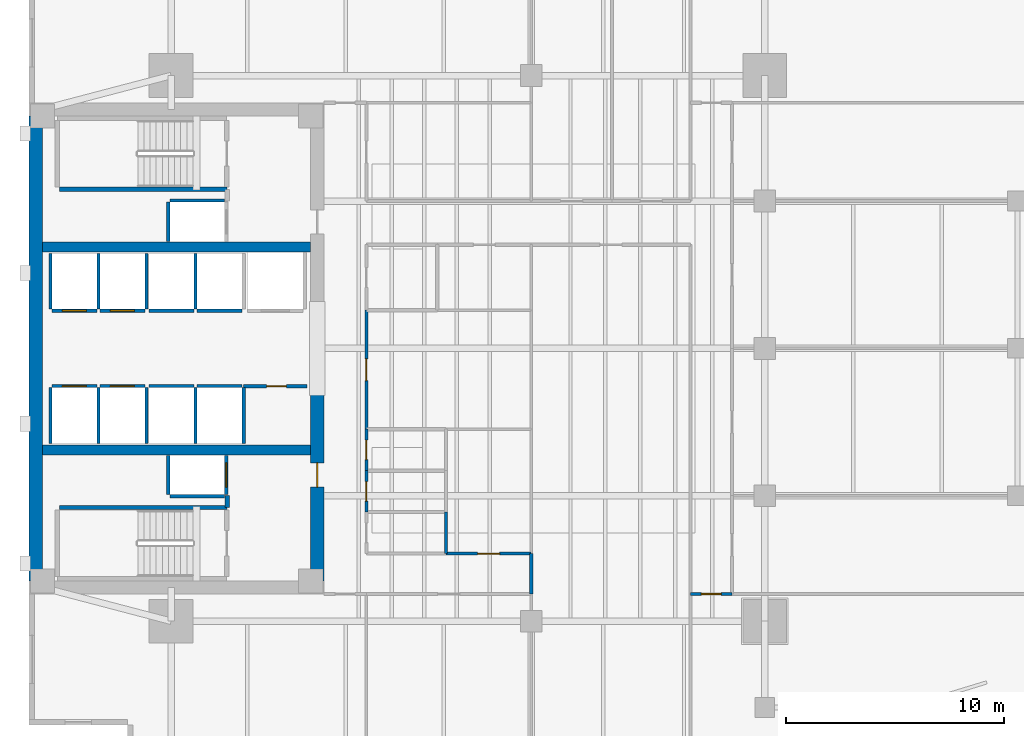
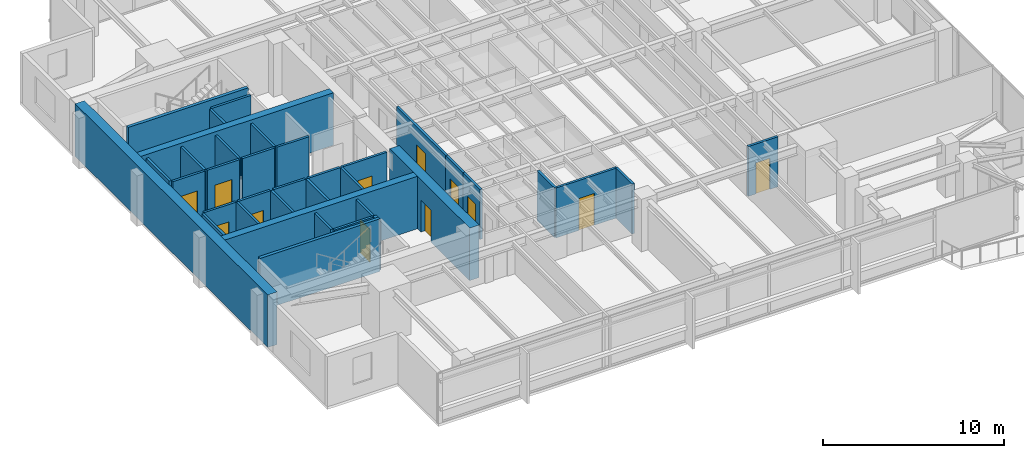
# One storey, part 8 of 14: 37 walls, 12 doors, 12 openings.
"""IFC4 building model written with IfcOpenShell, lengths in metres."""

from ifc_helpers import new_model, si_unit, direction, frame, frame_2d, origin, place, context, subcontext, project, spatial, rectangle, extrude, material, layer, layer_set, type_object, element, fill, save


model = new_model("IFC4")

# Units and contexts
model_context = context("Model", 3, precision=1e-05, world=origin(), true_north=direction((0.0, 1.0)))
body_context = subcontext(model_context, "Body", "Model", "MODEL_VIEW")
ifc_project = project(units=[si_unit("LENGTHUNIT", "METRE"), si_unit("AREAUNIT", "SQUARE_METRE"), si_unit("VOLUMEUNIT", "CUBIC_METRE"), si_unit("PLANEANGLEUNIT", "RADIAN"), si_unit("MASSUNIT", "GRAM", prefix="KILO")], contexts=[model_context])

# Site, building, storey
site_placement = place(None, origin())
site = spatial("IfcSite", under=ifc_project, at=site_placement, CompositionType="ELEMENT")
building_placement = place(site_placement, origin())
building = spatial("IfcBuilding", under=site, at=building_placement, Name="Kinhvarn Gate Tower", CompositionType="ELEMENT")
storey_placement = place(building_placement, frame((0.0, 0.0, 151.949951171875)))
storey = spatial("IfcBuildingStorey", under=building, at=storey_placement, Name="L40", CompositionType="ELEMENT", Elevation=151.949951171875)

# Walls
ifc_material_1 = material(Name="Concrete C50/60", Category="concrete")
ifc_layer_1 = layer(ifc_material_1, 0.449951171875)
ifc_layer_set_1 = layer_set([ifc_layer_1], Name="Concrete C50/60")
wall_type_1 = type_object("IfcWallType", Name="WL-CORE-450", PredefinedType="SHEAR", material=ifc_layer_set_1)
for number, where, z_axis, x_axis, name in (
    (1, (5.10009765625, 20.60009765625, 0.0), (0.0, 0.0, 1.0), (1.0, 0.0, 0.0), "Core South Spine Shear Wall L40 450 mm"),
    (2, (5.10009765625, 29.89990234375, 0.0), (0.0, 0.0, 1.0), (1.0, 0.0, 0.0), "Core North Spine Shear Wall L40 450 mm"),
):
    element("IfcWall", number, at=place(storey_placement, frame(where, z_axis=z_axis, x_axis=x_axis)), inside=storey, type_object=wall_type_1, Name=name, PredefinedType="SHEAR", context=body_context, shape_type="SweptSolid", body=[
        extrude(rectangle(XDim=12.2998046875, YDim=0.449951171875, at=frame_2d((6.14990234375, 0.0))), origin(), (0.0, 0.0, 1.0), 3.550048828125),
    ])

# Wall, opening, door
ifc_material_2 = material(Name="Concrete C60/75", Category="concrete")
ifc_layer_2 = layer(ifc_material_2, 0.60009765625)
ifc_layer_set_2 = layer_set([ifc_layer_2], Name="Concrete C60/75")
wall_type_2 = type_object("IfcWallType", Name="WL-CORE-600", PredefinedType="SHEAR", material=ifc_layer_set_2)
wall_1_placement = place(storey_placement, frame((17.699951171875, 14.60009765625, 0.0), z_axis=(0.0, 0.0, 1.0), x_axis=(0.0, 1.0, 0.0)))
wall_1 = element("IfcWall", 3, at=wall_1_placement, inside=storey, type_object=wall_type_2, Name="Core East-South Shear Pier L40 600 mm", PredefinedType="SHEAR", context=body_context, shape_type="SweptSolid", body=[
    extrude(rectangle(XDim=8.849853515625, YDim=0.60009765625, at=frame_2d((4.4248046875, 0.0))), origin(), (0.0, 0.0, 1.0), 3.550048828125),
])
opening_1_placement = place(wall_1_placement, frame((4.300048828125, 0.0, 0.0)))
opening_1 = element("IfcOpeningElement", 4, at=opening_1_placement, cuts=wall_1, Name="Opening FD-02", PredefinedType="OPENING", context=body_context, shape_type="SweptSolid", body=[
    extrude(rectangle(XDim=1.10009765625, YDim=2.14990234375, at=frame_2d((0.550048828125, 1.074951171875))), frame((0.0, 0.31005859375, 0.0), z_axis=(0.0, -1.0, 0.0), x_axis=(1.0, 0.0, 0.0)), (0.0, 0.0, 1.0), 0.6201171875),
])
ifc_material_3 = material(Name="Anodised aluminium AW-6063", Category="aluminium")
door_type_1 = type_object("IfcDoorType", Name="DR-FD-1100", OperationType="NOTDEFINED", PredefinedType="DOOR", material=ifc_material_3)
door_1_placement = place(opening_1_placement, origin())
door_1 = element("IfcDoor", 5, at=door_1_placement, inside=storey, type_object=door_type_1, Name="Firefighting Lobby Core Door (L40)", OperationType="SINGLE_SWING_RIGHT", OverallHeight=2.14990234375, OverallWidth=1.10009765625, PredefinedType="DOOR", context=body_context, shape_type="SweptSolid", body=[
    extrude(rectangle(XDim=1.10009765625, YDim=2.14990234375, at=frame_2d((0.550048828125, 1.074951171875))), frame((0.0, 0.02490234375, 0.0), z_axis=(0.0, -1.0, 0.0), x_axis=(1.0, 0.0, 0.0)), (0.0, 0.0, 1.0), 0.050048828125),
])
fill(opening_1, door_1)

# Walls
ifc_layer_3 = layer(ifc_material_2, 0.60009765625)
ifc_layer_set_3 = layer_set([ifc_layer_3], Name="Concrete C60/75")
wall_type_3 = type_object("IfcWallType", Name="WL-COREX-600", PredefinedType="SHEAR", material=ifc_layer_set_3)
wall_2_placement = place(storey_placement, frame((4.800048828125, 14.60009765625, 0.0), z_axis=(0.0, 0.0, 1.0), x_axis=(0.0, 1.0, 0.0)))
element("IfcWall", 6, at=wall_2_placement, inside=storey, type_object=wall_type_3, Name="Core West Shear Wall L40 600 mm", PredefinedType="SHEAR", context=body_context, shape_type="SweptSolid", body=[
    extrude(rectangle(XDim=21.2998046875, YDim=0.60009765625, at=frame_2d((10.64990234375, 0.0))), origin(), (0.0, 0.0, 1.0), 3.550048828125),
])
ifc_material_4 = material(Name="Gypsum acoustic partition board")
ifc_layer_4 = layer(ifc_material_4, 0.14990234375)
ifc_layer_set_4 = layer_set([ifc_layer_4], Name="Gypsum acoustic partition board")
wall_type_4 = type_object("IfcWallType", Name="WL-PLM-150", PredefinedType="PLUMBINGWALL", material=ifc_layer_set_4)
wall_3_placement = place(storey_placement, frame((23.60009765625, 15.85009765625, 0.0), z_axis=(0.0, 0.0, 1.0), x_axis=(0.0, 1.0, 0.0)))
element("IfcWall", 7, at=wall_3_placement, inside=storey, type_object=wall_type_4, Name="Interior Partition PLW-150 (L40)", PredefinedType="PLUMBINGWALL", context=body_context, shape_type="SweptSolid", body=[
    extrude(rectangle(XDim=1.89990234375, YDim=0.14990234375, at=frame_2d((0.949951171875, 0.0))), origin(), (0.0, 0.0, 1.0), 3.3701171875),
])

# Wall, opening, door
ifc_layer_5 = layer(ifc_material_4, 0.14990234375)
ifc_layer_set_5 = layer_set([ifc_layer_5], Name="Gypsum acoustic partition board")
wall_type_5 = type_object("IfcWallType", Name="WL-PLM-150F", PredefinedType="PLUMBINGWALL", material=ifc_layer_set_5)
wall_4_placement = place(storey_placement, frame((19.949951171875, 17.75, 0.0), z_axis=(0.0, 0.0, 1.0), x_axis=(0.0, 1.0, 0.0)))
wall_4 = element("IfcWall", 8, at=wall_4_placement, inside=storey, type_object=wall_type_5, Name="Interior Partition PLW-150F (L40)", PredefinedType="PLUMBINGWALL", context=body_context, shape_type="SweptSolid", body=[
    extrude(rectangle(XDim=1.89990234375, YDim=0.14990234375, at=frame_2d((0.949951171875, 0.0))), origin(), (0.0, 0.0, 1.0), 3.3701171875),
])
opening_2_placement = place(wall_4_placement, frame((0.5, 0.0, 0.0)))
opening_2 = element("IfcOpeningElement", 9, at=opening_2_placement, cuts=wall_4, Name="Opening FD-04", PredefinedType="OPENING", context=body_context, shape_type="SweptSolid", body=[
    extrude(rectangle(XDim=0.89990234375, YDim=2.10009765625, at=frame_2d((0.449951171875, 1.050048828125))), frame((0.0, 0.0849609375, 0.0), z_axis=(0.0, -1.0, 0.0), x_axis=(1.0, 0.0, 0.0)), (0.0, 0.0, 1.0), 0.169921875),
])
door_type_2 = type_object("IfcDoorType", Name="DR-FD-900", OperationType="NOTDEFINED", PredefinedType="DOOR", material=ifc_material_3)
door_2_placement = place(opening_2_placement, origin())
door_2 = element("IfcDoor", 10, at=door_2_placement, inside=storey, type_object=door_type_2, Name="Rated Riser & Service Closet Fire Door 900x2100 mm (L40)", OperationType="SINGLE_SWING_RIGHT", OverallHeight=2.10009765625, OverallWidth=0.89990234375, PredefinedType="DOOR", context=body_context, shape_type="SweptSolid", body=[
    extrude(rectangle(XDim=0.89990234375, YDim=2.10009765625, at=frame_2d((0.449951171875, 1.050048828125))), frame((0.0, 0.02490234375, 0.0), z_axis=(0.0, -1.0, 0.0), x_axis=(1.0, 0.0, 0.0)), (0.0, 0.0, 1.0), 0.050048828125),
])
fill(opening_2, door_2)

wall_5_placement = place(storey_placement, frame((19.949951171875, 19.64990234375, 0.0), z_axis=(0.0, 0.0, 1.0), x_axis=(0.0, 1.0, 0.0)))
wall_5 = element("IfcWall", 11, at=wall_5_placement, inside=storey, type_object=wall_type_5, Name="Interior Partition PLW-150F (L40)", PredefinedType="PLUMBINGWALL", context=body_context, shape_type="SweptSolid", body=[
    extrude(rectangle(XDim=1.900146484375, YDim=0.14990234375, at=frame_2d((0.9501953125, 0.0))), origin(), (0.0, 0.0, 1.0), 3.3701171875),
])
opening_3_placement = place(wall_5_placement, frame((0.5, 0.0, 0.0)))
opening_3 = element("IfcOpeningElement", 12, at=opening_3_placement, cuts=wall_5, Name="Opening FD-04", PredefinedType="OPENING", context=body_context, shape_type="SweptSolid", body=[
    extrude(rectangle(XDim=0.89990234375, YDim=2.10009765625, at=frame_2d((0.449951171875, 1.050048828125))), frame((0.0, 0.0849609375, 0.0), z_axis=(0.0, -1.0, 0.0), x_axis=(1.0, 0.0, 0.0)), (0.0, 0.0, 1.0), 0.169921875),
])
door_3_placement = place(opening_3_placement, origin())
door_3 = element("IfcDoor", 13, at=door_3_placement, inside=storey, type_object=door_type_2, Name="Rated Riser & Service Closet Fire Door 900x2100 mm (L40)", OperationType="SINGLE_SWING_LEFT", OverallHeight=2.10009765625, OverallWidth=0.89990234375, PredefinedType="DOOR", context=body_context, shape_type="SweptSolid", body=[
    extrude(rectangle(XDim=0.89990234375, YDim=2.10009765625, at=frame_2d((0.449951171875, 1.050048828125))), frame((0.0, 0.02490234375, 0.0), z_axis=(0.0, -1.0, 0.0), x_axis=(1.0, 0.0, 0.0)), (0.0, 0.0, 1.0), 0.050048828125),
])
fill(opening_3, door_3)

ifc_layer_6 = layer(ifc_material_4, 0.14990234375)
ifc_layer_set_6 = layer_set([ifc_layer_6], Name="Gypsum acoustic partition board")
wall_type_6 = type_object("IfcWallType", Name="WL-PRT-150F", PredefinedType="PARTITIONING", material=ifc_layer_set_6)
wall_6_placement = place(storey_placement, frame((14.330078125, 23.52001953125, 0.0), z_axis=(0.0, 0.0, 1.0), x_axis=(1.0, 0.0, 0.0)))
wall_6 = element("IfcWall", 14, at=wall_6_placement, inside=storey, type_object=wall_type_6, Name="Interior Partition PW-150F (L40)", PredefinedType="PARTITIONING", context=body_context, shape_type="SweptSolid", body=[
    extrude(rectangle(XDim=2.889892578125, YDim=0.14990234375, at=frame_2d((1.44482421875, 0.0))), origin(), (0.0, 0.0, 1.0), 3.3701171875),
])
opening_4_placement = place(wall_6_placement, frame((1.052734375, 0.0, 0.0)))
opening_4 = element("IfcOpeningElement", 15, at=opening_4_placement, cuts=wall_6, Name="Opening FD-04", PredefinedType="OPENING", context=body_context, shape_type="SweptSolid", body=[
    extrude(rectangle(XDim=0.89990234375, YDim=2.10009765625, at=frame_2d((0.449951171875, 1.050048828125))), frame((0.0, 0.0849609375, 0.0), z_axis=(0.0, -1.0, 0.0), x_axis=(1.0, 0.0, 0.0)), (0.0, 0.0, 1.0), 0.169921875),
])
door_4_placement = place(opening_4_placement, origin())
door_4 = element("IfcDoor", 16, at=door_4_placement, inside=storey, type_object=door_type_2, Name="Rated Riser & Service Closet Fire Door 900x2100 mm (L40)", OperationType="SINGLE_SWING_RIGHT", OverallHeight=2.10009765625, OverallWidth=0.89990234375, PredefinedType="DOOR", context=body_context, shape_type="SweptSolid", body=[
    extrude(rectangle(XDim=0.89990234375, YDim=2.10009765625, at=frame_2d((0.449951171875, 1.050048828125))), frame((0.0, 0.02490234375, 0.0), z_axis=(0.0, -1.0, 0.0), x_axis=(1.0, 0.0, 0.0)), (0.0, 0.0, 1.0), 0.050048828125),
])
fill(opening_4, door_4)

wall_7_placement = place(storey_placement, frame((19.949951171875, 21.550048828125, 0.0), z_axis=(0.0, 0.0, 1.0), x_axis=(0.0, 1.0, 0.0)))
wall_7 = element("IfcWall", 17, at=wall_7_placement, inside=storey, type_object=wall_type_6, Name="Interior Partition PW-150F (L40)", PredefinedType="PARTITIONING", context=body_context, shape_type="SweptSolid", body=[
    extrude(rectangle(XDim=5.449951171875, YDim=0.14990234375, at=frame_2d((2.72509765625, 0.0))), origin(), (0.0, 0.0, 1.0), 3.3701171875),
])
opening_5_placement = place(wall_7_placement, frame((2.22509765625, 0.0, 0.0)))
opening_5 = element("IfcOpeningElement", 18, at=opening_5_placement, cuts=wall_7, Name="Opening ID-02", PredefinedType="OPENING", context=body_context, shape_type="SweptSolid", body=[
    extrude(rectangle(XDim=1.0, YDim=2.14990234375, at=frame_2d((0.5, 1.074951171875))), frame((0.0, 0.0849609375, 0.0), z_axis=(0.0, -1.0, 0.0), x_axis=(1.0, 0.0, 0.0)), (0.0, 0.0, 1.0), 0.169921875),
])
door_type_3 = type_object("IfcDoorType", Name="DR-INT-1000", OperationType="NOTDEFINED", PredefinedType="DOOR", material=ifc_material_3)
door_5_placement = place(opening_5_placement, origin())
door_5 = element("IfcDoor", 19, at=door_5_placement, inside=storey, type_object=door_type_3, Name="Standard Office & Meeting Room Door 1000x2150 mm (L40)", OperationType="SINGLE_SWING_RIGHT", OverallHeight=2.14990234375, OverallWidth=1.0, PredefinedType="DOOR", context=body_context, shape_type="SweptSolid", body=[
    extrude(rectangle(XDim=1.0, YDim=2.14990234375, at=frame_2d((0.5, 1.074951171875))), frame((0.0, 0.02490234375, 0.0), z_axis=(0.0, -1.0, 0.0), x_axis=(1.0, 0.0, 0.0)), (0.0, 0.0, 1.0), 0.050048828125),
])
fill(opening_5, door_5)

wall_8_placement = place(storey_placement, frame((23.60009765625, 15.85009765625, 0.0), z_axis=(0.0, 0.0, 1.0), x_axis=(1.0, 0.0, 0.0)))
wall_8 = element("IfcWall", 20, at=wall_8_placement, inside=storey, type_object=wall_type_6, Name="Interior Partition PW-150F (L40)", PredefinedType="PARTITIONING", context=body_context, shape_type="SweptSolid", body=[
    extrude(rectangle(XDim=3.89990234375, YDim=0.14990234375, at=frame_2d((1.949951171875, 0.0))), origin(), (0.0, 0.0, 1.0), 3.3701171875),
])
opening_6_placement = place(wall_8_placement, frame((1.449951171875, 0.0, 0.0)))
opening_6 = element("IfcOpeningElement", 21, at=opening_6_placement, cuts=wall_8, Name="Opening ID-02", PredefinedType="OPENING", context=body_context, shape_type="SweptSolid", body=[
    extrude(rectangle(XDim=1.0, YDim=2.14990234375, at=frame_2d((0.5, 1.074951171875))), frame((0.0, 0.0849609375, 0.0), z_axis=(0.0, -1.0, 0.0), x_axis=(1.0, 0.0, 0.0)), (0.0, 0.0, 1.0), 0.169921875),
])
door_6_placement = place(opening_6_placement, origin())
door_6 = element("IfcDoor", 22, at=door_6_placement, inside=storey, type_object=door_type_3, Name="Standard Office & Meeting Room Door 1000x2150 mm (L40)", OperationType="SINGLE_SWING_LEFT", OverallHeight=2.14990234375, OverallWidth=1.0, PredefinedType="DOOR", context=body_context, shape_type="SweptSolid", body=[
    extrude(rectangle(XDim=1.0, YDim=2.14990234375, at=frame_2d((0.5, 1.074951171875))), frame((0.0, 0.02490234375, 0.0), z_axis=(0.0, -1.0, 0.0), x_axis=(1.0, 0.0, 0.0)), (0.0, 0.0, 1.0), 0.050048828125),
])
fill(opening_6, door_6)

# Wall
wall_9_placement = place(storey_placement, frame((27.5, 14.0, 0.0), z_axis=(0.0, 0.0, 1.0), x_axis=(0.0, 1.0, 0.0)))
element("IfcWall", 23, at=wall_9_placement, inside=storey, type_object=wall_type_6, Name="Interior Partition PW-150F (L40)", PredefinedType="PARTITIONING", context=body_context, shape_type="SweptSolid", body=[
    extrude(rectangle(XDim=1.85009765625, YDim=0.14990234375, at=frame_2d((0.925048828125, 0.0))), origin(), (0.0, 0.0, 1.0), 3.3701171875),
])

# Wall, opening, door
wall_10_placement = place(storey_placement, frame((34.800048828125, 14.0, 0.0), z_axis=(0.0, 0.0, 1.0), x_axis=(1.0, 0.0, 0.0)))
wall_10 = element("IfcWall", 24, at=wall_10_placement, inside=storey, type_object=wall_type_6, Name="Interior Partition PW-150F (L40)", PredefinedType="PARTITIONING", context=body_context, shape_type="SweptSolid", body=[
    extrude(rectangle(XDim=1.89990234375, YDim=0.14990234375, at=frame_2d((0.949951171875, 0.0))), origin(), (0.0, 0.0, 1.0), 3.3701171875),
])
opening_7_placement = place(wall_10_placement, frame((0.5, 0.0, 0.0)))
opening_7 = element("IfcOpeningElement", 25, at=opening_7_placement, cuts=wall_10, Name="Opening ID-03", PredefinedType="OPENING", context=body_context, shape_type="SweptSolid", body=[
    extrude(rectangle(XDim=0.89990234375, YDim=2.10009765625, at=frame_2d((0.449951171875, 1.050048828125))), frame((0.0, 0.0849609375, 0.0), z_axis=(0.0, -1.0, 0.0), x_axis=(1.0, 0.0, 0.0)), (0.0, 0.0, 1.0), 0.169921875),
])
door_type_4 = type_object("IfcDoorType", Name="DR-INT-900", OperationType="NOTDEFINED", PredefinedType="DOOR", material=ifc_material_3)
door_7_placement = place(opening_7_placement, origin())
door_7 = element("IfcDoor", 26, at=door_7_placement, inside=storey, type_object=door_type_4, Name="Cellular Office & Restroom Door 900x2100 mm (L40)", OperationType="SINGLE_SWING_LEFT", OverallHeight=2.10009765625, OverallWidth=0.89990234375, PredefinedType="DOOR", context=body_context, shape_type="SweptSolid", body=[
    extrude(rectangle(XDim=0.89990234375, YDim=2.10009765625, at=frame_2d((0.449951171875, 1.050048828125))), frame((0.0, 0.02490234375, 0.0), z_axis=(0.0, -1.0, 0.0), x_axis=(1.0, 0.0, 0.0)), (0.0, 0.0, 1.0), 0.050048828125),
])
fill(opening_7, door_7)

# Wall
ifc_layer_7 = layer(ifc_material_4, 0.199951171875)
ifc_layer_set_7 = layer_set([ifc_layer_7], Name="Gypsum acoustic partition board")
wall_type_7 = type_object("IfcWallType", Name="WL-PRT-200", PredefinedType="PARTITIONING", material=ifc_layer_set_7)
wall_11_placement = place(storey_placement, frame((13.580078125, 17.9599609375, 0.0), z_axis=(0.0, 0.0, 1.0), x_axis=(0.0, 1.0, 0.0)))
element("IfcWall", 27, at=wall_11_placement, inside=storey, type_object=wall_type_7, Name="Interior Partition PW-200 (L40)", PredefinedType="PARTITIONING", context=body_context, shape_type="SweptSolid", body=[
    extrude(rectangle(XDim=0.5400390625, YDim=0.199951171875, at=frame_2d((0.27001953125, 0.0))), origin(), (0.0, 0.0, 1.0), 3.3701171875),
])

# Wall, opening, door
ifc_layer_8 = layer(ifc_material_4, 0.14990234375)
ifc_layer_set_8 = layer_set([ifc_layer_8], Name="Gypsum acoustic partition board")
wall_type_8 = type_object("IfcWallType", Name="WL-SHF-150", PredefinedType="PARTITIONING", material=ifc_layer_set_8)
wall_12_placement = place(storey_placement, frame((5.550048828125, 23.52490234375, 0.0), z_axis=(0.0, 0.0, 1.0), x_axis=(1.0, 0.0, 0.0)))
wall_12 = element("IfcWall", 28, at=wall_12_placement, inside=storey, type_object=wall_type_8, Name="Elevator PM-05 Landing Wall (L40)", PredefinedType="PARTITIONING", context=body_context, shape_type="SweptSolid", body=[
    extrude(rectangle(XDim=2.050048828125, YDim=0.14990234375, at=frame_2d((1.02490234375, 0.0))), origin(), (0.0, 0.0, 1.0), 3.3701171875),
])
opening_8_placement = place(wall_12_placement, frame((0.47509765625, 0.0, 0.0)))
opening_8 = element("IfcOpeningElement", 29, at=opening_8_placement, cuts=wall_12, Name="Opening LD-01", PredefinedType="OPENING", context=body_context, shape_type="SweptSolid", body=[
    extrude(rectangle(XDim=1.10009765625, YDim=2.199951171875, at=frame_2d((0.550048828125, 1.10009765625))), frame((0.0, 0.0849609375, 0.0), z_axis=(0.0, -1.0, 0.0), x_axis=(1.0, 0.0, 0.0)), (0.0, 0.0, 1.0), 0.169921875),
])
door_type_5 = type_object("IfcDoorType", Name="DR-LND-PAS", OperationType="NOTDEFINED", PredefinedType="DOOR", material=ifc_material_3)
door_8_placement = place(opening_8_placement, origin())
door_8 = element("IfcDoor", 30, at=door_8_placement, inside=storey, type_object=door_type_5, Name="Elevator PM-05 Sliding Landing Door (L40)", OperationType="DOUBLE_DOOR_SLIDING", OverallHeight=2.199951171875, OverallWidth=1.10009765625, PredefinedType="DOOR", context=body_context, shape_type="SweptSolid", body=[
    extrude(rectangle(XDim=1.10009765625, YDim=2.199951171875, at=frame_2d((0.550048828125, 1.10009765625))), frame((0.0, 0.02490234375, 0.0), z_axis=(0.0, -1.0, 0.0), x_axis=(1.0, 0.0, 0.0)), (0.0, 0.0, 1.0), 0.050048828125),
])
fill(opening_8, door_8)

# Walls
for number, where, z_axis, x_axis, name in (
    (31, (5.47509765625, 20.89990234375, 0.0), (0.0, 0.0, 1.0), (0.0, 1.0, 0.0), "Elevator PM-05 Hoistway Wall W (L40)"),
    (32, (7.675048828125, 20.89990234375, 0.0), (0.0, 0.0, 1.0), (0.0, 1.0, 0.0), "Elevator PM-05 Hoistway Wall E (L40)"),
):
    element("IfcWall", number, at=place(storey_placement, frame(where, z_axis=z_axis, x_axis=x_axis)), inside=storey, type_object=wall_type_8, Name=name, PredefinedType="PARTITIONING", context=body_context, shape_type="SweptSolid", body=[
        extrude(rectangle(XDim=2.550048828125, YDim=0.14990234375, at=frame_2d((1.27490234375, 0.0))), origin(), (0.0, 0.0, 1.0), 3.3701171875),
    ])

# Wall, opening, door
wall_13_placement = place(storey_placement, frame((7.75, 23.52490234375, 0.0), z_axis=(0.0, 0.0, 1.0), x_axis=(1.0, 0.0, 0.0)))
wall_13 = element("IfcWall", 33, at=wall_13_placement, inside=storey, type_object=wall_type_8, Name="Elevator PM-06 Landing Wall (L40)", PredefinedType="PARTITIONING", context=body_context, shape_type="SweptSolid", body=[
    extrude(rectangle(XDim=2.050048828125, YDim=0.14990234375, at=frame_2d((1.02490234375, 0.0))), origin(), (0.0, 0.0, 1.0), 3.3701171875),
])
opening_9_placement = place(wall_13_placement, frame((0.47509765625, 0.0, 0.0)))
opening_9 = element("IfcOpeningElement", 34, at=opening_9_placement, cuts=wall_13, Name="Opening LD-01", PredefinedType="OPENING", context=body_context, shape_type="SweptSolid", body=[
    extrude(rectangle(XDim=1.10009765625, YDim=2.199951171875, at=frame_2d((0.550048828125, 1.10009765625))), frame((0.0, 0.0849609375, 0.0), z_axis=(0.0, -1.0, 0.0), x_axis=(1.0, 0.0, 0.0)), (0.0, 0.0, 1.0), 0.169921875),
])
door_9_placement = place(opening_9_placement, origin())
door_9 = element("IfcDoor", 35, at=door_9_placement, inside=storey, type_object=door_type_5, Name="Elevator PM-06 Sliding Landing Door (L40)", OperationType="DOUBLE_DOOR_SLIDING", OverallHeight=2.199951171875, OverallWidth=1.10009765625, PredefinedType="DOOR", context=body_context, shape_type="SweptSolid", body=[
    extrude(rectangle(XDim=1.10009765625, YDim=2.199951171875, at=frame_2d((0.550048828125, 1.10009765625))), frame((0.0, 0.02490234375, 0.0), z_axis=(0.0, -1.0, 0.0), x_axis=(1.0, 0.0, 0.0)), (0.0, 0.0, 1.0), 0.050048828125),
])
fill(opening_9, door_9)

# Wall
wall_14_placement = place(storey_placement, frame((9.875, 20.89990234375, 0.0), z_axis=(0.0, 0.0, 1.0), x_axis=(0.0, 1.0, 0.0)))
element("IfcWall", 36, at=wall_14_placement, inside=storey, type_object=wall_type_8, Name="Elevator PM-06 Hoistway Wall E (L40)", PredefinedType="PARTITIONING", context=body_context, shape_type="SweptSolid", body=[
    extrude(rectangle(XDim=2.550048828125, YDim=0.14990234375, at=frame_2d((1.27490234375, 0.0))), origin(), (0.0, 0.0, 1.0), 3.3701171875),
])

# Wall, opening, door
wall_15_placement = place(storey_placement, frame((5.550048828125, 26.97509765625, 0.0), z_axis=(0.0, 0.0, 1.0), x_axis=(1.0, 0.0, 0.0)))
wall_15 = element("IfcWall", 37, at=wall_15_placement, inside=storey, type_object=wall_type_8, Name="Elevator PM-07 Landing Wall (L40)", PredefinedType="PARTITIONING", context=body_context, shape_type="SweptSolid", body=[
    extrude(rectangle(XDim=2.050048828125, YDim=0.14990234375, at=frame_2d((1.02490234375, 0.0))), origin(), (0.0, 0.0, 1.0), 3.3701171875),
])
opening_10_placement = place(wall_15_placement, frame((0.47509765625, 0.0, 0.0)))
opening_10 = element("IfcOpeningElement", 38, at=opening_10_placement, cuts=wall_15, Name="Opening LD-01", PredefinedType="OPENING", context=body_context, shape_type="SweptSolid", body=[
    extrude(rectangle(XDim=1.10009765625, YDim=2.199951171875, at=frame_2d((0.550048828125, 1.10009765625))), frame((0.0, 0.0849609375, 0.0), z_axis=(0.0, -1.0, 0.0), x_axis=(1.0, 0.0, 0.0)), (0.0, 0.0, 1.0), 0.169921875),
])
door_10_placement = place(opening_10_placement, origin())
door_10 = element("IfcDoor", 39, at=door_10_placement, inside=storey, type_object=door_type_5, Name="Elevator PM-07 Sliding Landing Door (L40)", OperationType="DOUBLE_DOOR_SLIDING", OverallHeight=2.199951171875, OverallWidth=1.10009765625, PredefinedType="DOOR", context=body_context, shape_type="SweptSolid", body=[
    extrude(rectangle(XDim=1.10009765625, YDim=2.199951171875, at=frame_2d((0.550048828125, 1.10009765625))), frame((0.0, 0.02490234375, 0.0), z_axis=(0.0, -1.0, 0.0), x_axis=(1.0, 0.0, 0.0)), (0.0, 0.0, 1.0), 0.050048828125),
])
fill(opening_10, door_10)

# Walls
for number, where, z_axis, x_axis, name in (
    (40, (5.47509765625, 27.050048828125, 0.0), (0.0, 0.0, 1.0), (0.0, 1.0, 0.0), "Elevator PM-07 Hoistway Wall W (L40)"),
    (41, (7.675048828125, 27.050048828125, 0.0), (0.0, 0.0, 1.0), (0.0, 1.0, 0.0), "Elevator PM-07 Hoistway Wall E (L40)"),
):
    element("IfcWall", number, at=place(storey_placement, frame(where, z_axis=z_axis, x_axis=x_axis)), inside=storey, type_object=wall_type_8, Name=name, PredefinedType="PARTITIONING", context=body_context, shape_type="SweptSolid", body=[
        extrude(rectangle(XDim=2.550048828125, YDim=0.14990234375, at=frame_2d((1.27490234375, 0.0))), origin(), (0.0, 0.0, 1.0), 3.3701171875),
    ])

# Wall, opening, door
wall_16_placement = place(storey_placement, frame((7.75, 26.97509765625, 0.0), z_axis=(0.0, 0.0, 1.0), x_axis=(1.0, 0.0, 0.0)))
wall_16 = element("IfcWall", 42, at=wall_16_placement, inside=storey, type_object=wall_type_8, Name="Elevator PM-08 Landing Wall (L40)", PredefinedType="PARTITIONING", context=body_context, shape_type="SweptSolid", body=[
    extrude(rectangle(XDim=2.050048828125, YDim=0.14990234375, at=frame_2d((1.02490234375, 0.0))), origin(), (0.0, 0.0, 1.0), 3.3701171875),
])
opening_11_placement = place(wall_16_placement, frame((0.47509765625, 0.0, 0.0)))
opening_11 = element("IfcOpeningElement", 43, at=opening_11_placement, cuts=wall_16, Name="Opening LD-01", PredefinedType="OPENING", context=body_context, shape_type="SweptSolid", body=[
    extrude(rectangle(XDim=1.10009765625, YDim=2.199951171875, at=frame_2d((0.550048828125, 1.10009765625))), frame((0.0, 0.0849609375, 0.0), z_axis=(0.0, -1.0, 0.0), x_axis=(1.0, 0.0, 0.0)), (0.0, 0.0, 1.0), 0.169921875),
])
door_11_placement = place(opening_11_placement, origin())
door_11 = element("IfcDoor", 44, at=door_11_placement, inside=storey, type_object=door_type_5, Name="Elevator PM-08 Sliding Landing Door (L40)", OperationType="DOUBLE_DOOR_SLIDING", OverallHeight=2.199951171875, OverallWidth=1.10009765625, PredefinedType="DOOR", context=body_context, shape_type="SweptSolid", body=[
    extrude(rectangle(XDim=1.10009765625, YDim=2.199951171875, at=frame_2d((0.550048828125, 1.10009765625))), frame((0.0, 0.02490234375, 0.0), z_axis=(0.0, -1.0, 0.0), x_axis=(1.0, 0.0, 0.0)), (0.0, 0.0, 1.0), 0.050048828125),
])
fill(opening_11, door_11)

# Walls
wall_17_placement = place(storey_placement, frame((9.875, 27.050048828125, 0.0), z_axis=(0.0, 0.0, 1.0), x_axis=(0.0, 1.0, 0.0)))
element("IfcWall", 45, at=wall_17_placement, inside=storey, type_object=wall_type_8, Name="Elevator PM-08 Hoistway Wall E (L40)", PredefinedType="PARTITIONING", context=body_context, shape_type="SweptSolid", body=[
    extrude(rectangle(XDim=2.550048828125, YDim=0.14990234375, at=frame_2d((1.27490234375, 0.0))), origin(), (0.0, 0.0, 1.0), 3.3701171875),
])
wall_18_placement = place(storey_placement, frame((10.0, 23.52490234375, 0.0), z_axis=(0.0, 0.0, 1.0), x_axis=(1.0, 0.0, 0.0)))
element("IfcWall", 46, at=wall_18_placement, inside=storey, type_object=wall_type_8, Name="Elevator PH-09 Landing Wall (L40)", PredefinedType="PARTITIONING", context=body_context, shape_type="SweptSolid", body=[
    extrude(rectangle(XDim=2.050048828125, YDim=0.14990234375, at=frame_2d((1.02490234375, 0.0))), origin(), (0.0, 0.0, 1.0), 3.3701171875),
])
wall_19_placement = place(storey_placement, frame((12.125, 20.89990234375, 0.0), z_axis=(0.0, 0.0, 1.0), x_axis=(0.0, 1.0, 0.0)))
element("IfcWall", 47, at=wall_19_placement, inside=storey, type_object=wall_type_8, Name="Elevator PH-09 Hoistway Wall E (L40)", PredefinedType="PARTITIONING", context=body_context, shape_type="SweptSolid", body=[
    extrude(rectangle(XDim=2.550048828125, YDim=0.14990234375, at=frame_2d((1.27490234375, 0.0))), origin(), (0.0, 0.0, 1.0), 3.3701171875),
])
wall_20_placement = place(storey_placement, frame((12.199951171875, 23.52490234375, 0.0), z_axis=(0.0, 0.0, 1.0), x_axis=(1.0, 0.0, 0.0)))
element("IfcWall", 48, at=wall_20_placement, inside=storey, type_object=wall_type_8, Name="Elevator PH-10 Landing Wall (L40)", PredefinedType="PARTITIONING", context=body_context, shape_type="SweptSolid", body=[
    extrude(rectangle(XDim=2.050048828125, YDim=0.14990234375, at=frame_2d((1.02490234375, 0.0))), origin(), (0.0, 0.0, 1.0), 3.3701171875),
])
wall_21_placement = place(storey_placement, frame((14.324951171875, 20.89990234375, 0.0), z_axis=(0.0, 0.0, 1.0), x_axis=(0.0, 1.0, 0.0)))
element("IfcWall", 49, at=wall_21_placement, inside=storey, type_object=wall_type_8, Name="Elevator PH-10 Hoistway Wall E (L40)", PredefinedType="PARTITIONING", context=body_context, shape_type="SweptSolid", body=[
    extrude(rectangle(XDim=2.550048828125, YDim=0.14990234375, at=frame_2d((1.27490234375, 0.0))), origin(), (0.0, 0.0, 1.0), 3.3701171875),
])
wall_22_placement = place(storey_placement, frame((10.0, 26.97509765625, 0.0), z_axis=(0.0, 0.0, 1.0), x_axis=(1.0, 0.0, 0.0)))
element("IfcWall", 50, at=wall_22_placement, inside=storey, type_object=wall_type_8, Name="Elevator PH-11 Landing Wall (L40)", PredefinedType="PARTITIONING", context=body_context, shape_type="SweptSolid", body=[
    extrude(rectangle(XDim=2.050048828125, YDim=0.14990234375, at=frame_2d((1.02490234375, 0.0))), origin(), (0.0, 0.0, 1.0), 3.3701171875),
])
wall_23_placement = place(storey_placement, frame((12.125, 27.050048828125, 0.0), z_axis=(0.0, 0.0, 1.0), x_axis=(0.0, 1.0, 0.0)))
element("IfcWall", 51, at=wall_23_placement, inside=storey, type_object=wall_type_8, Name="Elevator PH-11 Hoistway Wall E (L40)", PredefinedType="PARTITIONING", context=body_context, shape_type="SweptSolid", body=[
    extrude(rectangle(XDim=2.550048828125, YDim=0.14990234375, at=frame_2d((1.27490234375, 0.0))), origin(), (0.0, 0.0, 1.0), 3.3701171875),
])
wall_24_placement = place(storey_placement, frame((12.199951171875, 26.97509765625, 0.0), z_axis=(0.0, 0.0, 1.0), x_axis=(1.0, 0.0, 0.0)))
element("IfcWall", 52, at=wall_24_placement, inside=storey, type_object=wall_type_8, Name="Elevator PH-12 Landing Wall (L40)", PredefinedType="PARTITIONING", context=body_context, shape_type="SweptSolid", body=[
    extrude(rectangle(XDim=2.050048828125, YDim=0.14990234375, at=frame_2d((1.02490234375, 0.0))), origin(), (0.0, 0.0, 1.0), 3.3701171875),
])
wall_25_placement = place(storey_placement, frame((10.949951171875, 18.47509765625, 0.0), z_axis=(0.0, 0.0, 1.0), x_axis=(1.0, 0.0, 0.0)))
element("IfcWall", 53, at=wall_25_placement, inside=storey, type_object=wall_type_8, Name="Elevator FF1 Hoistway Wall S (L40)", PredefinedType="PARTITIONING", context=body_context, shape_type="SweptSolid", body=[
    extrude(rectangle(XDim=2.5, YDim=0.14990234375, at=frame_2d((1.25, 0.0))), origin(), (0.0, 0.0, 1.0), 3.3701171875),
])
wall_26_placement = place(storey_placement, frame((10.875, 18.550048828125, 0.0), z_axis=(0.0, 0.0, 1.0), x_axis=(0.0, 1.0, 0.0)))
element("IfcWall", 54, at=wall_26_placement, inside=storey, type_object=wall_type_8, Name="Elevator FF1 Hoistway Wall W (L40)", PredefinedType="PARTITIONING", context=body_context, shape_type="SweptSolid", body=[
    extrude(rectangle(XDim=1.800048828125, YDim=0.14990234375, at=frame_2d((0.89990234375, 0.0))), origin(), (0.0, 0.0, 1.0), 3.3701171875),
])

# Wall, opening, door
wall_27_placement = place(storey_placement, frame((13.52490234375, 18.550048828125, 0.0), z_axis=(0.0, 0.0, 1.0), x_axis=(0.0, 1.0, 0.0)))
wall_27 = element("IfcWall", 55, at=wall_27_placement, inside=storey, type_object=wall_type_8, Name="Elevator FF1 Landing Wall (L40)", PredefinedType="PARTITIONING", context=body_context, shape_type="SweptSolid", body=[
    extrude(rectangle(XDim=1.800048828125, YDim=0.14990234375, at=frame_2d((0.89990234375, 0.0))), origin(), (0.0, 0.0, 1.0), 3.3701171875),
])
opening_12_placement = place(wall_27_placement, frame((0.35009765625, 0.0, 0.0)))
opening_12 = element("IfcOpeningElement", 56, at=opening_12_placement, cuts=wall_27, Name="Opening LD-03", PredefinedType="OPENING", context=body_context, shape_type="SweptSolid", body=[
    extrude(rectangle(XDim=1.10009765625, YDim=2.199951171875, at=frame_2d((0.550048828125, 1.10009765625))), frame((0.0, 0.0849609375, 0.0), z_axis=(0.0, -1.0, 0.0), x_axis=(1.0, 0.0, 0.0)), (0.0, 0.0, 1.0), 0.169921875),
])
door_type_6 = type_object("IfcDoorType", Name="DR-LND-FF", OperationType="NOTDEFINED", PredefinedType="DOOR", material=ifc_material_3)
door_12_placement = place(opening_12_placement, origin())
door_12 = element("IfcDoor", 57, at=door_12_placement, inside=storey, type_object=door_type_6, Name="Elevator FF1 Sliding Landing Door (L40)", OperationType="DOUBLE_DOOR_SLIDING", OverallHeight=2.199951171875, OverallWidth=1.10009765625, PredefinedType="DOOR", context=body_context, shape_type="SweptSolid", body=[
    extrude(rectangle(XDim=1.10009765625, YDim=2.199951171875, at=frame_2d((0.550048828125, 1.10009765625))), frame((0.0, 0.02490234375, 0.0), z_axis=(0.0, -1.0, 0.0), x_axis=(1.0, 0.0, 0.0)), (0.0, 0.0, 1.0), 0.050048828125),
])
fill(opening_12, door_12)

# Walls
wall_28_placement = place(storey_placement, frame((10.949951171875, 32.02490234375, 0.0), z_axis=(0.0, 0.0, 1.0), x_axis=(1.0, 0.0, 0.0)))
element("IfcWall", 58, at=wall_28_placement, inside=storey, type_object=wall_type_8, Name="Elevator FF2 Hoistway Wall N (L40)", PredefinedType="PARTITIONING", context=body_context, shape_type="SweptSolid", body=[
    extrude(rectangle(XDim=2.5, YDim=0.14990234375, at=frame_2d((1.25, 0.0))), origin(), (0.0, 0.0, 1.0), 3.3701171875),
])
wall_29_placement = place(storey_placement, frame((10.875, 30.14990234375, 0.0), z_axis=(0.0, 0.0, 1.0), x_axis=(0.0, 1.0, 0.0)))
element("IfcWall", 59, at=wall_29_placement, inside=storey, type_object=wall_type_8, Name="Elevator FF2 Hoistway Wall W (L40)", PredefinedType="PARTITIONING", context=body_context, shape_type="SweptSolid", body=[
    extrude(rectangle(XDim=1.800048828125, YDim=0.14990234375, at=frame_2d((0.89990234375, 0.0))), origin(), (0.0, 0.0, 1.0), 3.3701171875),
])
ifc_material_5 = material(Name="Concrete C40/50", Category="concrete")
ifc_layer_9 = layer(ifc_material_5, 0.199951171875)
ifc_layer_set_9 = layer_set([ifc_layer_9], Name="Concrete C40/50")
wall_type_9 = type_object("IfcWallType", Name="WL-SHF-200", PredefinedType="SOLIDWALL", material=ifc_layer_set_9)
for number, where, z_axis, x_axis, name in (
    (60, (5.89990234375, 17.9599609375, 0.0), (0.0, 0.0, 1.0), (1.0, 0.0, 0.0), "Stair ST1 North Shaft Wall (L40)"),
    (61, (5.89990234375, 32.5400390625, 0.0), (0.0, 0.0, 1.0), (1.0, 0.0, 0.0), "Stair ST2 South Shaft Wall (L40)"),
):
    element("IfcWall", number, at=place(storey_placement, frame(where, z_axis=z_axis, x_axis=x_axis)), inside=storey, type_object=wall_type_9, Name=name, PredefinedType="SOLIDWALL", context=body_context, shape_type="SweptSolid", body=[
        extrude(rectangle(XDim=7.66015625, YDim=0.199951171875, at=frame_2d((3.830078125, 0.0))), origin(), (0.0, 0.0, 1.0), 3.550048828125),
    ])

save(model, "model.ifc")
